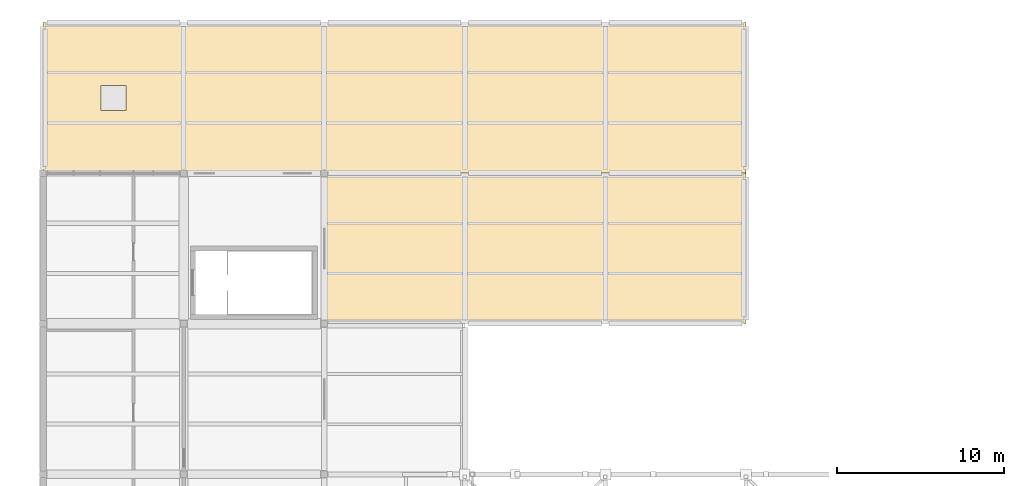
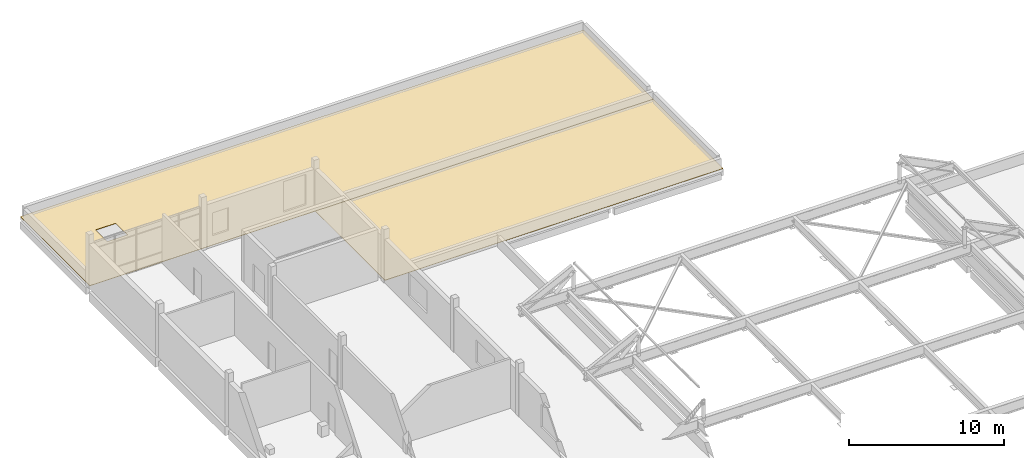
# One storey, part 40 of 41: 2 coverings.
"""IFC4 building model written with IfcOpenShell, lengths in metres."""

from ifc_helpers import new_model, si_unit, direction, frame, origin, place, context, subcontext, project, spatial, polyline, outline, extrude, material, layer, layer_set, type_object, element, save


model = new_model("IFC4")

# Units and contexts
model_context = context("Model", 3, precision=1e-05, world=origin(), true_north=direction((0.0, 1.0)))
body_context = subcontext(model_context, "Body", "Model", "MODEL_VIEW")
ifc_project = project(units=[si_unit("LENGTHUNIT", "METRE"), si_unit("AREAUNIT", "SQUARE_METRE"), si_unit("VOLUMEUNIT", "CUBIC_METRE"), si_unit("PLANEANGLEUNIT", "RADIAN"), si_unit("MASSUNIT", "GRAM", prefix="KILO")], contexts=[model_context])

# Site, building, storey
site_placement = place(None, origin())
site = spatial("IfcSite", under=ifc_project, at=site_placement, CompositionType="ELEMENT")
building_placement = place(site_placement, origin())
building = spatial("IfcBuilding", under=site, at=building_placement, Name="Vireocrest Preparatory School", CompositionType="ELEMENT")
storey_placement = place(building_placement, frame((0.0, 0.0, 21.60009765625)))
storey = spatial("IfcBuildingStorey", under=building, at=storey_placement, Name="L05", CompositionType="ELEMENT", Elevation=21.60009765625)

# Coverings
ifc_material = material(Name="TPO single-ply insulated roofing membrane")
ifc_layer = layer(ifc_material, 0.030029296875)
ifc_layer_set = layer_set([ifc_layer], Name="TPO single-ply insulated roofing membrane")
covering_type = type_object("IfcCoveringType", Name="TPO Insulated Single-Ply Roof Membrane", PredefinedType="ROOFING", material=ifc_layer_set)
covering_1_placement = place(storey_placement, origin())
element("IfcCovering", 1, at=covering_1_placement, inside=storey, type_object=covering_type, Name="Roof Membrane L05_NORTH_W_ROOF", PredefinedType="ROOFING", context=body_context, shape_type="SweptSolid", body=[
    extrude(outline(polyline([(42.0, 103.800048828125), (84.0, 103.800048828125), (84.0, 112.800048828125), (42.0, 112.800048828125), (42.0, 103.800048828125)]), holes=[polyline([(45.449951171875, 107.550048828125), (46.949951171875, 107.550048828125), (46.949951171875, 109.050048828125), (45.449951171875, 109.050048828125), (45.449951171875, 107.550048828125)])]), origin(), (0.0, 0.0, 1.0), 0.02978515625),
])
covering_2_placement = place(storey_placement, origin())
element("IfcCovering", 2, at=covering_2_placement, inside=storey, type_object=covering_type, Name="Roof Membrane L05_NORTH_C_ROOF", PredefinedType="ROOFING", context=body_context, shape_type="SweptSolid", body=[
    extrude(outline(polyline([(58.800048828125, 94.800048828125), (84.0, 94.800048828125), (84.0, 103.800048828125), (58.800048828125, 103.800048828125), (58.800048828125, 94.800048828125)])), origin(), (0.0, 0.0, 1.0), 0.02978515625),
])

save(model, "model.ifc")
